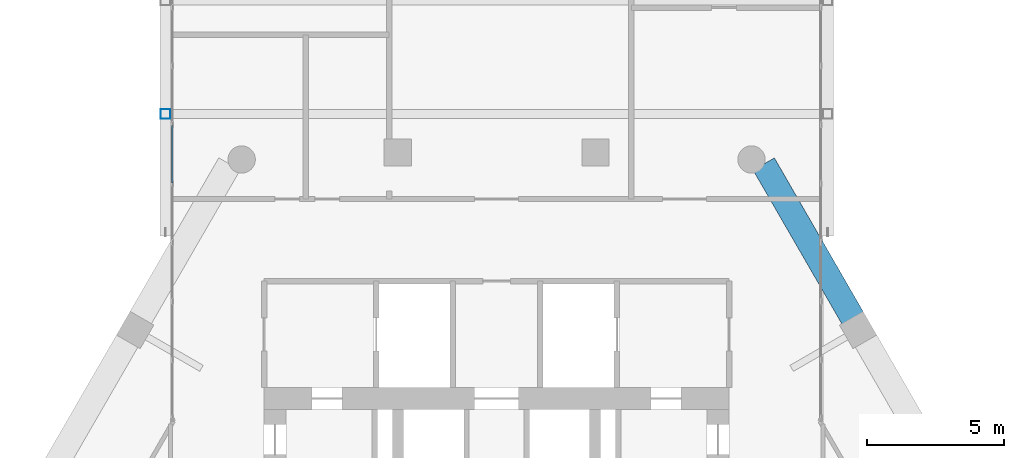
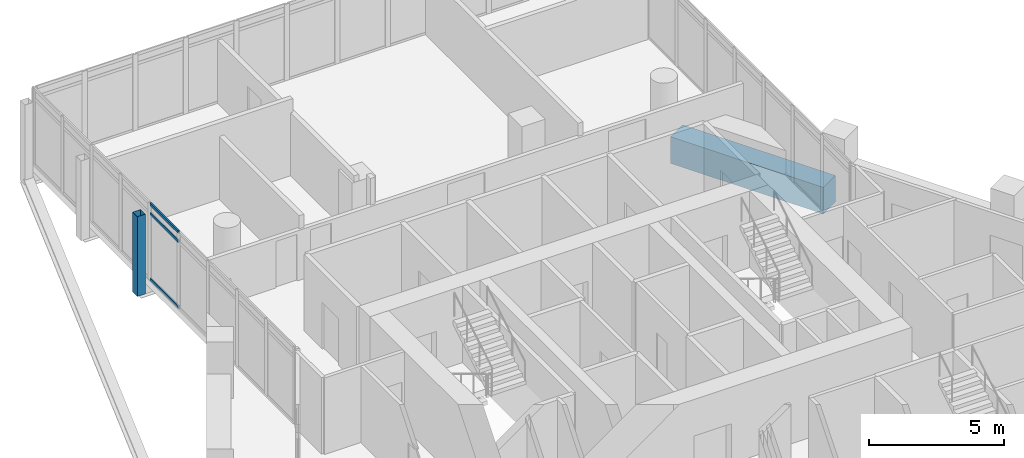
# One storey, part 17 of 38: 4 members, 1 beam, 1 element without a shape of its own.
"""IFC4 building model written with IfcOpenShell, lengths in metres."""

from ifc_helpers import new_model, si_unit, direction, frame, origin, origin_2d, place, context, subcontext, project, spatial, rectangle, hollow_rectangle, extrude, material, material_profile, profile_set, type_object, element, aggregate, save


model = new_model("IFC4")

# Units and contexts
model_context = context("Model", 3, precision=1e-05, world=origin(), true_north=direction((0.0, 1.0)))
body_context = subcontext(model_context, "Body", "Model", "MODEL_VIEW")
ifc_project = project(units=[si_unit("LENGTHUNIT", "METRE"), si_unit("AREAUNIT", "SQUARE_METRE"), si_unit("VOLUMEUNIT", "CUBIC_METRE"), si_unit("PLANEANGLEUNIT", "RADIAN"), si_unit("MASSUNIT", "GRAM", prefix="KILO")], contexts=[model_context])

# Site, building, storey
site_placement = place(None, origin())
site = spatial("IfcSite", under=ifc_project, at=site_placement, CompositionType="ELEMENT")
building_placement = place(site_placement, origin())
building = spatial("IfcBuilding", under=site, at=building_placement, Name="Ostrander Bayou Hotel Tower", CompositionType="ELEMENT")
storey_placement = place(building_placement, frame((0.0, 0.0, 194.5)))
storey = spatial("IfcBuildingStorey", under=building, at=storey_placement, Name="L48", CompositionType="ELEMENT", Elevation=194.5)

# Curtain wall, members
ifc_material_1 = material(Name="Aluminium and clear glass", Category="aluminium")
curtain_wall_type = type_object("IfcCurtainWallType", Name="CW-BAR glazed wall", PredefinedType="NOTDEFINED", material=ifc_material_1)
curtain_wall_placement = place(storey_placement, origin())
curtain_wall = element("IfcCurtainWall", 1, at=curtain_wall_placement, inside=storey, type_object=curtain_wall_type, Name="CW-BAR L48:SB4N:E", PredefinedType="NOTDEFINED")
ifc_material_2 = material(Name="Aluminium", Category="aluminium")
ifc_material_profile_1 = material_profile(ifc_material_2, hollow_rectangle(XDim=0.06005859375, YDim=0.1298828125, WallThickness=0.00390625, at=origin_2d()))
ifc_profile_set_1 = profile_set([ifc_material_profile_1], Name="Aluminium")
member_type_1 = type_object("IfcMemberType", Name="CW-BR transom 60 x 130 mm", PredefinedType="USERDEFINED", material=ifc_profile_set_1)
member_1_placement = place(storey_placement, frame((-11.857177734375, 17.195068359375, 0.030029296875), z_axis=(0.0, 1.0, 0.0), x_axis=(-1.0, 0.0, 0.0)))
member_1 = element("IfcMember", 2, at=member_1_placement, type_object=member_type_1, Name="CW-BAR transom 5.1", ObjectType="TRANSOM", PredefinedType="USERDEFINED", context=body_context, shape_type="SweptSolid", body=[
    extrude(hollow_rectangle(XDim=0.06005859375, YDim=0.1298828125, WallThickness=0.00390625, at=origin_2d()), origin(), (0.0, 0.0, 1.0), 2.09033203125),
])
member_2_placement = place(storey_placement, frame((-11.857177734375, 17.195068359375, 3.0), z_axis=(0.0, 1.0, 0.0), x_axis=(-1.0, 0.0, 0.0)))
member_2 = element("IfcMember", 3, at=member_2_placement, type_object=member_type_1, Name="CW-BAR transom 5.2", ObjectType="TRANSOM", PredefinedType="USERDEFINED", context=body_context, shape_type="SweptSolid", body=[
    extrude(hollow_rectangle(XDim=0.06005859375, YDim=0.1298828125, WallThickness=0.00390625, at=origin_2d()), origin(), (0.0, 0.0, 1.0), 2.09033203125),
])
member_3_placement = place(storey_placement, frame((-11.857177734375, 17.195068359375, 3.419921875), z_axis=(0.0, 1.0, 0.0), x_axis=(-1.0, 0.0, 0.0)))
member_3 = element("IfcMember", 4, at=member_3_placement, type_object=member_type_1, Name="CW-BAR transom 5.3", ObjectType="TRANSOM", PredefinedType="USERDEFINED", context=body_context, shape_type="SweptSolid", body=[
    extrude(hollow_rectangle(XDim=0.06005859375, YDim=0.1298828125, WallThickness=0.00390625, at=origin_2d()), origin(), (0.0, 0.0, 1.0), 2.09033203125),
])
aggregate(curtain_wall, [member_1, member_2, member_3])

# Beam
ifc_material_3 = material(Name="Concrete f'c 60 MPa", Category="concrete")
ifc_material_profile_2 = material_profile(ifc_material_3, rectangle(XDim=0.89990234375, YDim=1.199951171875, at=origin_2d()))
ifc_profile_set_2 = profile_set([ifc_material_profile_2], Name="Concrete f'c 60 MPa")
beam_type = type_object("IfcBeamType", Name="SP3 spandrel beam 900 x 1200 mm f'c 60 MPa", PredefinedType="SPANDREL", material=ifc_profile_set_2)
beam_placement = place(storey_placement, frame((13.025390625, 12.24072265625, -0.60009765625), z_axis=(-0.499977752261, 0.866038248142, 0.0), x_axis=(-0.866038248142, -0.499977752261, 0.0)))
element("IfcBeam", 5, at=beam_placement, inside=storey, type_object=beam_type, Name="SP3 L48 NE-3", PredefinedType="SPANDREL", context=body_context, shape_type="SweptSolid", body=[
    extrude(rectangle(XDim=0.89990234375, YDim=1.199951171875, at=origin_2d()), origin(), (0.0, 0.0, 1.0), 6.511962890625),
])

# Member
ifc_material_4 = material(Name="Steel ASTM A500 Gr C", Category="steel")
ifc_material_profile_3 = material_profile(ifc_material_4, hollow_rectangle(XDim=0.355712890625, YDim=0.355712890625, WallThickness=0.0087890625, at=origin_2d()))
ifc_profile_set_3 = profile_set([ifc_material_profile_3], Name="Steel ASTM A500 Gr C")
member_type_2 = type_object("IfcMemberType", Name="TH3 bar hanger HSS14x14x3/8", PredefinedType="POST", material=ifc_profile_set_3)
member_4_placement = place(storey_placement, frame((-12.110107421875, 19.706787109375, -0.760986328125), z_axis=(0.0, 0.0, 1.0), x_axis=(1.0, 0.0, 0.0)))
element("IfcMember", 6, at=member_4_placement, inside=storey, type_object=member_type_2, Name="TH3 SB4WA H3-1", PredefinedType="POST", context=body_context, shape_type="SweptSolid", body=[
    extrude(hollow_rectangle(XDim=0.355712890625, YDim=0.355712890625, WallThickness=0.0087890625, at=origin_2d()), origin(), (0.0, 0.0, 1.0), 3.599853515625),
])

save(model, "model.ifc")
